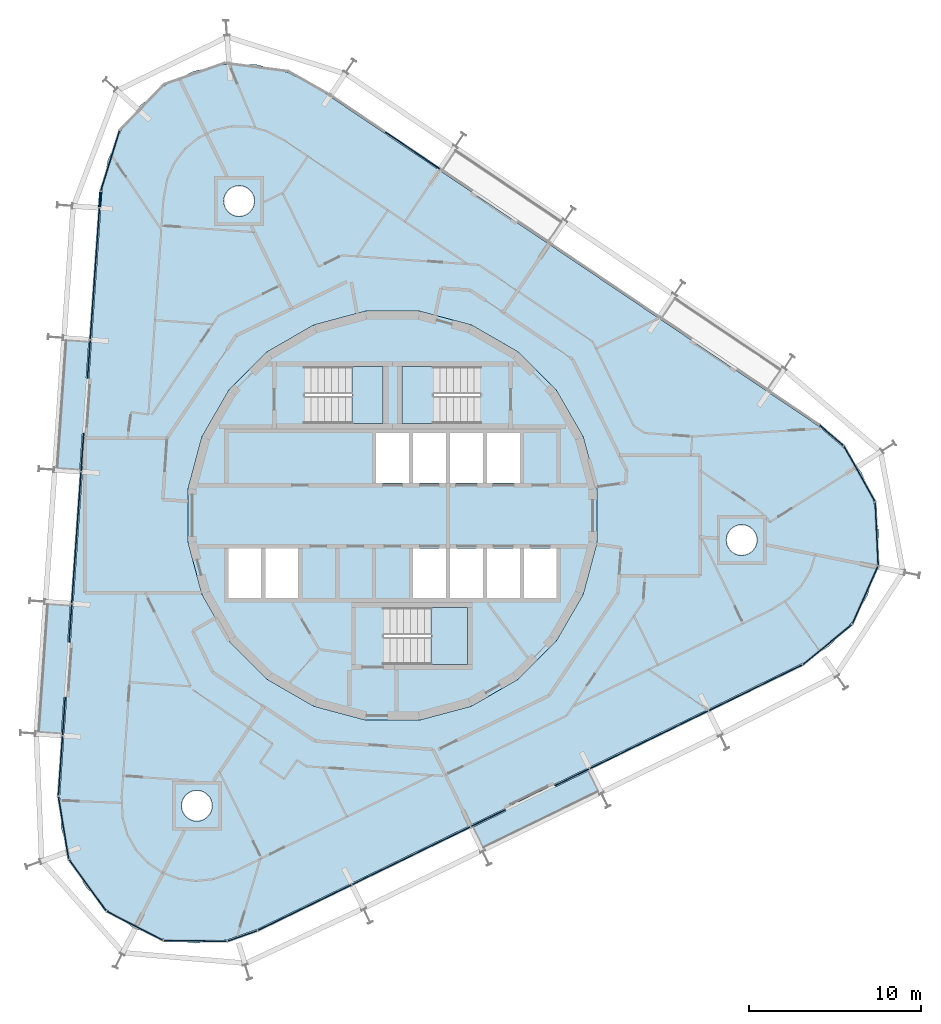
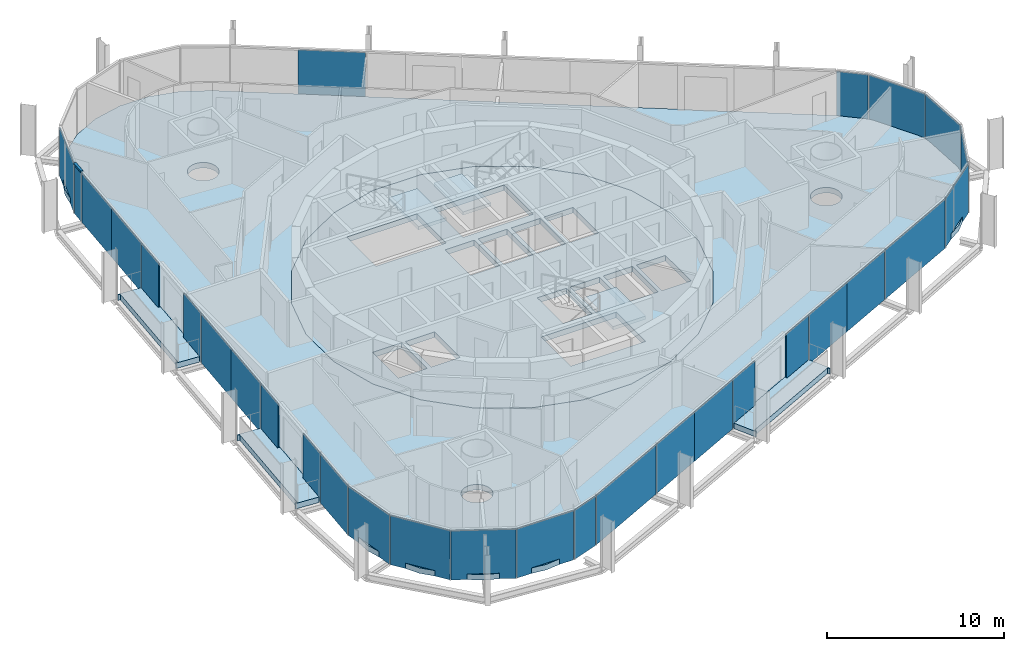
# One storey, part 10 of 18: 30 plates, 8 slabs, 1 member, 9 elements without a shape of their own.
"""IFC4 building model written with IfcOpenShell, lengths in metres."""

from ifc_helpers import new_model, si_unit, direction, frame, origin, origin_2d, place, context, subcontext, project, spatial, polyline, rectangle, outline, extrude, material, layer, layer_set, material_profile, profile_set, type_object, element, aggregate, save


model = new_model("IFC4")

# Units and contexts
model_context = context("Model", 3, precision=1e-05, world=origin(), true_north=direction((0.0, 1.0)))
body_context = subcontext(model_context, "Body", "Model", "MODEL_VIEW")
ifc_project = project(units=[si_unit("LENGTHUNIT", "METRE"), si_unit("AREAUNIT", "SQUARE_METRE"), si_unit("VOLUMEUNIT", "CUBIC_METRE"), si_unit("PLANEANGLEUNIT", "RADIAN"), si_unit("MASSUNIT", "GRAM", prefix="KILO")], contexts=[model_context])

# Site, building, storey
site_placement = place(None, origin())
site = spatial("IfcSite", under=ifc_project, at=site_placement, CompositionType="ELEMENT")
building_placement = place(site_placement, origin())
building = spatial("IfcBuilding", under=site, at=building_placement, Name="Spindle Arch Residences", CompositionType="ELEMENT")
storey_placement = place(building_placement, frame((0.0, 0.0, 205.89990234375)))
storey = spatial("IfcBuildingStorey", under=building, at=storey_placement, Name="L52", CompositionType="ELEMENT", Elevation=205.89990234375)

# Curtain wall, member
ifc_material_1 = material(Name="Aluminium bronze unitised frame with tinted glass", Category="aluminium")
ifc_layer_1 = layer(ifc_material_1, 0.159912109375)
ifc_layer_set_1 = layer_set([ifc_layer_1], Name="CW-D corner wall on the fillet arcs")
curtain_wall_type_1 = type_object("IfcCurtainWallType", Name="CW-D corner wall on the fillet arcs", PredefinedType="NOTDEFINED", material=ifc_layer_set_1)
curtain_wall_1_placement = place(storey_placement, origin())
curtain_wall_1 = element("IfcCurtainWall", 1, at=curtain_wall_1_placement, inside=storey, type_object=curtain_wall_type_1, Name="CW-D L52 run 3", PredefinedType="NOTDEFINED")
ifc_material_2 = material(Name="Aluminium bronze anodised transom", Category="aluminium")
ifc_material_profile = material_profile(ifc_material_2, rectangle(XDim=0.159912109375, YDim=0.1201171875, at=origin_2d()), Name="TR 120x160")
ifc_profile_set = profile_set([ifc_material_profile], Name="Aluminium bronze anodised transom")
member_type = type_object("IfcMemberType", Name="Bronze transom 120x160", PredefinedType="USERDEFINED", material=ifc_profile_set)
member_placement = place(storey_placement, frame((-16.98828125, 18.83447265625, 3.06005859375), z_axis=(-0.069692035463, -0.997568554132, 0.0), x_axis=(0.997568554132, -0.069692035463, 0.0)))
member = element("IfcMember", 2, at=member_placement, type_object=member_type, Name="CW-D transom 05", ObjectType="TRANSOM", PredefinedType="USERDEFINED", context=body_context, shape_type="SweptSolid", body=[
    extrude(rectangle(XDim=0.159912109375, YDim=0.1201171875, at=origin_2d()), origin(), (0.0, 0.0, 1.0), 0.90380859375),
])

# Slabs
ifc_material_3 = material(Name="Concrete C40/50", Category="concrete")
ifc_layer_2 = layer(ifc_material_3, 0.3798828125)
ifc_layer_set_2 = layer_set([ifc_layer_2], Name="Balcony slab 380")
slab_type_1 = type_object("IfcSlabType", Name="Balcony slab 380", PredefinedType="FLOOR", material=ifc_layer_set_2)
slab_1_placement = place(storey_placement, frame((0.0, 0.0, -0.3798828125)))
element("IfcSlab", 3, at=slab_1_placement, inside=storey, type_object=slab_type_1, Name="Balcony L52 bay 14", PredefinedType="FLOOR", context=body_context, shape_type="SweptSolid", body=[
    extrude(outline(polyline([(-19.16162109375, 10.2626953125), (-19.166748046875, 10.187744140625), (-19.01708984375, 10.17724609375), (-19.532958984375, 2.8017578125), (-19.6826171875, 2.81201171875), (-19.687744140625, 2.7373046875), (-18.201416015625, 2.63330078125), (-18.0498046875, 4.800048828125), (-17.890380859375, 4.788818359375), (-17.6669921875, 7.98095703125), (-17.82666015625, 7.9921875), (-17.67529296875, 10.15869140625), (-19.16162109375, 10.2626953125)])), origin(), (0.0, 0.0, 1.0), 0.3798828125),
])
slab_2_placement = place(storey_placement, frame((0.0, 0.0, -0.3798828125)))
element("IfcSlab", 4, at=slab_2_placement, inside=storey, type_object=slab_type_1, Name="Balcony L52 bay 16", PredefinedType="FLOOR", context=body_context, shape_type="SweptSolid", body=[
    extrude(outline(polyline([(-20.23486328125, -5.08740234375), (-20.240234375, -5.162109375), (-20.090576171875, -5.172607421875), (-20.606201171875, -12.54833984375), (-20.755859375, -12.537841796875), (-20.76123046875, -12.612548828125), (-19.274658203125, -12.716552734375), (-19.123291015625, -10.550048828125), (-18.963623046875, -10.561279296875), (-18.740478515625, -7.368896484375), (-18.900146484375, -7.35791015625), (-18.74853515625, -5.191162109375), (-20.23486328125, -5.08740234375)])), origin(), (0.0, 0.0, 1.0), 0.3798828125),
])
slab_3_placement = place(storey_placement, frame((0.0, 0.0, -0.3798828125)))
element("IfcSlab", 5, at=slab_3_placement, inside=storey, type_object=slab_type_1, Name="Balcony L52 bay 22", PredefinedType="FLOOR", context=body_context, shape_type="SweptSolid", body=[
    extrude(outline(polyline([(5.30322265625, -19.477294921875), (5.37060546875, -19.4443359375), (5.3046875, -19.3095703125), (11.9501953125, -16.068359375), (12.015869140625, -16.203125), (12.083251953125, -16.17041015625), (11.43017578125, -14.8310546875), (9.47802734375, -15.783203125), (9.407958984375, -15.639404296875), (6.53173828125, -17.042236328125), (6.60205078125, -17.18603515625), (4.64990234375, -18.137939453125), (5.30322265625, -19.477294921875)])), origin(), (0.0, 0.0, 1.0), 0.3798828125),
])
ifc_material_4 = material(Name="Concrete C50/60", Category="concrete")
ifc_layer_3 = layer(ifc_material_4, 0.3798828125)
ifc_layer_set_3 = layer_set([ifc_layer_3], Name="Core floor slab 380")
slab_type_2 = type_object("IfcSlabType", Name="Core floor slab 380", PredefinedType="FLOOR", material=ifc_layer_set_3)
slab_4_placement = place(storey_placement, frame((0.0, 0.0, -0.3798828125)))
element("IfcSlab", 6, at=slab_4_placement, inside=storey, type_object=slab_type_2, Name="Core floor L52", PredefinedType="FLOOR", context=body_context, shape_type="SweptSolid", body=[
    extrude(outline(polyline([(1.56640625, -11.897216796875), (4.59228515625, -11.086669921875), (7.30517578125, -9.520263671875), (9.520263671875, -7.30517578125), (11.086669921875, -4.59228515625), (11.897216796875, -1.56640625), (11.897216796875, 1.56640625), (11.086669921875, 4.59228515625), (9.520263671875, 7.30517578125), (7.30517578125, 9.520263671875), (4.59228515625, 11.086669921875), (1.56640625, 11.897216796875), (-1.56640625, 11.897216796875), (-4.59228515625, 11.086669921875), (-7.30517578125, 9.520263671875), (-9.520263671875, 7.30517578125), (-11.086669921875, 4.59228515625), (-11.897216796875, 1.56640625), (-11.897216796875, -1.56640625), (-11.086669921875, -4.59228515625), (-9.520263671875, -7.30517578125), (-7.30517578125, -9.520263671875), (-4.59228515625, -11.086669921875), (-1.56640625, -11.897216796875), (1.56640625, -11.897216796875)]), holes=[polyline([(-0.949951171875, 1.89990234375), (0.949951171875, 1.89990234375), (0.949951171875, 4.800048828125), (-0.949951171875, 4.800048828125), (-0.949951171875, 1.89990234375)]), polyline([(1.199951171875, 1.89990234375), (3.10009765625, 1.89990234375), (3.10009765625, 4.800048828125), (1.199951171875, 4.800048828125), (1.199951171875, 1.89990234375)]), polyline([(3.35009765625, 1.89990234375), (5.25, 1.89990234375), (5.25, 4.800048828125), (3.35009765625, 4.800048828125), (3.35009765625, 1.89990234375)]), polyline([(5.5, 1.89990234375), (7.39990234375, 1.89990234375), (7.39990234375, 4.800048828125), (5.5, 4.800048828125), (5.5, 1.89990234375)]), polyline([(-9.550048828125, -4.800048828125), (-7.64990234375, -4.800048828125), (-7.64990234375, -1.89990234375), (-9.550048828125, -1.89990234375), (-9.550048828125, -4.800048828125)]), polyline([(-7.39990234375, -4.800048828125), (-5.5, -4.800048828125), (-5.5, -1.89990234375), (-7.39990234375, -1.89990234375), (-7.39990234375, -4.800048828125)]), polyline([(1.199951171875, -4.800048828125), (3.10009765625, -4.800048828125), (3.10009765625, -1.89990234375), (1.199951171875, -1.89990234375), (1.199951171875, -4.800048828125)]), polyline([(3.35009765625, -4.800048828125), (5.25, -4.800048828125), (5.25, -1.89990234375), (3.35009765625, -1.89990234375), (3.35009765625, -4.800048828125)]), polyline([(5.5, -4.800048828125), (7.39990234375, -4.800048828125), (7.39990234375, -1.89990234375), (5.5, -1.89990234375), (5.5, -4.800048828125)]), polyline([(7.64990234375, -4.800048828125), (9.550048828125, -4.800048828125), (9.550048828125, -1.89990234375), (7.64990234375, -1.89990234375), (7.64990234375, -4.800048828125)]), polyline([(5.1298828125, 8.669921875), (0.550048828125, 8.669921875), (0.550048828125, 5.35009765625), (5.1298828125, 5.35009765625), (5.1298828125, 8.669921875)]), polyline([(-5.1298828125, 5.35009765625), (-0.550048828125, 5.35009765625), (-0.550048828125, 8.669921875), (-5.1298828125, 8.669921875), (-5.1298828125, 5.35009765625)]), polyline([(-0.530029296875, -8.669921875), (4.35009765625, -8.669921875), (4.35009765625, -5.35009765625), (-0.530029296875, -5.35009765625), (-0.530029296875, -8.669921875)])]), origin(), (0.0, 0.0, 1.0), 0.3798828125),
])

# Stair, slab
ifc_material_5 = material(Name="Concrete C50/60", Category="concrete")
stair_type = type_object("IfcStairType", Name="Exit stair 16 risers", PredefinedType="HALF_TURN_STAIR", material=ifc_material_5)
stair_1_placement = place(storey_placement, origin())
stair_1 = element("IfcStair", 7, at=stair_1_placement, inside=storey, type_object=stair_type, Name="L52 Exit stair ST1", PredefinedType="HALF_TURN_STAIR")
ifc_material_6 = material(Name="Concrete C50/60", Category="concrete")
ifc_layer_4 = layer(ifc_material_6, 0.219970703125)
ifc_layer_set_4 = layer_set([ifc_layer_4], Name="Exit stair landing 220")
slab_type_3 = type_object("IfcSlabType", Name="Exit stair landing 220", PredefinedType="LANDING", material=ifc_layer_set_4)
slab_5_placement = place(storey_placement, frame((0.0, 0.0, 1.530029296875)))
slab_5 = element("IfcSlab", 8, at=slab_5_placement, type_object=slab_type_3, Name="ST1 landing 1", PredefinedType="LANDING", context=body_context, shape_type="SweptSolid", body=[
    extrude(outline(polyline([(2.3701171875, 8.669921875), (0.550048828125, 8.669921875), (0.550048828125, 5.35009765625), (2.3701171875, 5.35009765625), (2.3701171875, 8.669921875)])), origin(), (0.0, 0.0, 1.0), 0.219970703125),
])
aggregate(stair_1, [slab_5])

stair_2_placement = place(storey_placement, origin())
stair_2 = element("IfcStair", 9, at=stair_2_placement, inside=storey, type_object=stair_type, Name="L52 Exit stair ST2", PredefinedType="HALF_TURN_STAIR")
slab_6_placement = place(storey_placement, frame((0.0, 0.0, 1.530029296875)))
slab_6 = element("IfcSlab", 10, at=slab_6_placement, type_object=slab_type_3, Name="ST2 landing 1", PredefinedType="LANDING", context=body_context, shape_type="SweptSolid", body=[
    extrude(outline(polyline([(-2.3701171875, 5.35009765625), (-0.550048828125, 5.35009765625), (-0.550048828125, 8.669921875), (-2.3701171875, 8.669921875), (-2.3701171875, 5.35009765625)])), origin(), (0.0, 0.0, 1.0), 0.219970703125),
])
aggregate(stair_2, [slab_6])

stair_3_placement = place(storey_placement, origin())
stair_3 = element("IfcStair", 11, at=stair_3_placement, inside=storey, type_object=stair_type, Name="L52 Exit stair ST3", PredefinedType="HALF_TURN_STAIR")
slab_7_placement = place(storey_placement, frame((0.0, 0.0, 1.530029296875)))
slab_7 = element("IfcSlab", 12, at=slab_7_placement, type_object=slab_type_3, Name="ST3 landing 1", PredefinedType="LANDING", context=body_context, shape_type="SweptSolid", body=[
    extrude(outline(polyline([(2.22998046875, -8.669921875), (4.35009765625, -8.669921875), (4.35009765625, -5.35009765625), (2.22998046875, -5.35009765625), (2.22998046875, -8.669921875)])), origin(), (0.0, 0.0, 1.0), 0.219970703125),
])
aggregate(stair_3, [slab_7])

# Slab
ifc_material_7 = material(Name="Concrete C40/50", Category="concrete")
ifc_layer_5 = layer(ifc_material_7, 0.3798828125)
ifc_layer_set_5 = layer_set([ifc_layer_5], Name="Floor slab 380")
slab_type_4 = type_object("IfcSlabType", Name="Floor slab 380", PredefinedType="FLOOR", material=ifc_layer_set_5)
slab_8_placement = place(storey_placement, frame((0.0, 0.0, -0.3798828125)))
element("IfcSlab", 13, at=slab_8_placement, inside=storey, type_object=slab_type_4, Name="Floor slab L52", PredefinedType="FLOOR", context=body_context, shape_type="SweptSolid", body=[
    extrude(outline(polyline([(-9.6318359375, -24.685791015625), (-11.47900390625, -24.8798828125), (-13.3212890625, -24.642822265625), (-15.059326171875, -23.9873046875), (-16.599365234375, -22.948486328125), (-17.858154296875, -21.582763671875), (-18.76806640625, -19.96337890625), (-19.280029296875, -18.177978515625), (-19.366455078125, -16.322509765625), (-16.906494140625, 18.85888671875), (-16.5625, 20.684326171875), (-15.80712890625, 22.381103515625), (-14.6806640625, 23.858154296875), (-13.243896484375, 25.035400390625), (-11.574462890625, 25.849609375), (-9.76220703125, 26.257080078125), (-7.90478515625, 26.2353515625), (-6.1025390625, 25.785888671875), (-4.452392578125, 24.93310546875), (24.785400390625, 5.2119140625), (26.1943359375, 4.00146484375), (27.2861328125, 2.498779296875), (28.001953125, 0.784912109375), (28.30322265625, -1.048095703125), (28.173583984375, -2.901123046875), (27.620361328125, -4.67431640625), (26.6728515625, -6.27197265625), (25.382568359375, -7.608154296875), (23.81884765625, -8.610595703125), (7.969970703125, -16.3408203125), (-7.87890625, -24.07080078125), (-9.6318359375, -24.685791015625)]), holes=[polyline([(7.30517578125, -9.520263671875), (9.520263671875, -7.30517578125), (11.086669921875, -4.59228515625), (11.897216796875, -1.56640625), (11.897216796875, 1.56640625), (11.086669921875, 4.59228515625), (9.520263671875, 7.30517578125), (7.30517578125, 9.520263671875), (4.59228515625, 11.086669921875), (1.56640625, 11.897216796875), (-1.56640625, 11.897216796875), (-4.59228515625, 11.086669921875), (-7.30517578125, 9.520263671875), (-9.520263671875, 7.30517578125), (-11.086669921875, 4.59228515625), (-11.897216796875, 1.56640625), (-11.897216796875, -1.56640625), (-11.086669921875, -4.59228515625), (-9.520263671875, -7.30517578125), (-7.30517578125, -9.520263671875), (-4.59228515625, -11.086669921875), (-1.56640625, -11.897216796875), (1.56640625, -11.897216796875), (4.59228515625, -11.086669921875), (7.30517578125, -9.520263671875)]), polyline([(-10.6376953125, -17.380615234375), (-10.554443359375, -17.224853515625), (-10.50341796875, -17.05615234375), (-10.486083984375, -16.880615234375), (-10.50341796875, -16.704833984375), (-10.554443359375, -16.5361328125), (-10.6376953125, -16.380615234375), (-10.74951171875, -16.244140625), (-10.885986328125, -16.132080078125), (-11.04150390625, -16.049072265625), (-11.21044921875, -15.997802734375), (-11.385986328125, -15.98046875), (-11.5615234375, -15.997802734375), (-11.73046875, -16.049072265625), (-11.885986328125, -16.132080078125), (-12.0224609375, -16.244140625), (-12.13427734375, -16.380615234375), (-12.217529296875, -16.5361328125), (-12.268798828125, -16.704833984375), (-12.285888671875, -16.880615234375), (-12.268798828125, -17.05615234375), (-12.217529296875, -17.224853515625), (-12.13427734375, -17.380615234375), (-12.0224609375, -17.516845703125), (-11.885986328125, -17.62890625), (-11.73046875, -17.7119140625), (-11.5615234375, -17.76318359375), (-11.385986328125, -17.780517578125), (-11.21044921875, -17.76318359375), (-11.04150390625, -17.7119140625), (-10.885986328125, -17.62890625), (-10.74951171875, -17.516845703125), (-10.6376953125, -17.380615234375)]), polyline([(-8.177490234375, 17.80078125), (-8.094482421875, 17.956298828125), (-8.043212890625, 18.125244140625), (-8.02587890625, 18.30078125), (-8.043212890625, 18.476318359375), (-8.094482421875, 18.645263671875), (-8.177490234375, 18.80078125), (-8.28955078125, 18.937255859375), (-8.42578125, 19.049072265625), (-8.58154296875, 19.13232421875), (-8.750244140625, 19.18359375), (-8.92578125, 19.20068359375), (-9.1015625, 19.18359375), (-9.270263671875, 19.13232421875), (-9.42578125, 19.049072265625), (-9.562255859375, 18.937255859375), (-9.67431640625, 18.80078125), (-9.75732421875, 18.645263671875), (-9.80859375, 18.476318359375), (-9.825927734375, 18.30078125), (-9.80859375, 18.125244140625), (-9.75732421875, 17.956298828125), (-9.67431640625, 17.80078125), (-9.562255859375, 17.664306640625), (-9.42578125, 17.552490234375), (-9.270263671875, 17.46923828125), (-9.1015625, 17.418212890625), (-8.92578125, 17.40087890625), (-8.750244140625, 17.418212890625), (-8.58154296875, 17.46923828125), (-8.42578125, 17.552490234375), (-8.28955078125, 17.664306640625), (-8.177490234375, 17.80078125)]), polyline([(20.9482421875, -2.056640625), (21.060302734375, -1.92041015625), (21.143310546875, -1.7646484375), (21.194580078125, -1.595947265625), (21.2119140625, -1.42041015625), (21.194580078125, -1.24462890625), (21.143310546875, -1.075927734375), (21.060302734375, -0.92041015625), (20.9482421875, -0.783935546875), (20.81201171875, -0.672119140625), (20.65625, -0.5888671875), (20.487548828125, -0.53759765625), (20.31201171875, -0.520263671875), (20.13623046875, -0.53759765625), (19.967529296875, -0.5888671875), (19.81201171875, -0.672119140625), (19.675537109375, -0.783935546875), (19.563720703125, -0.92041015625), (19.48046875, -1.075927734375), (19.42919921875, -1.24462890625), (19.411865234375, -1.42041015625), (19.42919921875, -1.595947265625), (19.48046875, -1.7646484375), (19.563720703125, -1.92041015625), (19.675537109375, -2.056640625), (19.81201171875, -2.168701171875), (19.967529296875, -2.251708984375), (20.13623046875, -2.302978515625), (20.31201171875, -2.3203125), (20.487548828125, -2.302978515625), (20.65625, -2.251708984375), (20.81201171875, -2.168701171875), (20.9482421875, -2.056640625)])]), origin(), (0.0, 0.0, 1.0), 0.3798828125),
])

# Curtain wall, plates
curtain_wall_2_placement = place(storey_placement, origin())
curtain_wall_2 = element("IfcCurtainWall", 14, at=curtain_wall_2_placement, inside=storey, type_object=curtain_wall_type_1, Name="CW-D L52 run 1", PredefinedType="NOTDEFINED")
ifc_material_8 = material(Name="Tinted double glazing over aluminium faced non-combustible spandrel zone (K0)", Category="aluminium")
ifc_layer_6 = layer(ifc_material_8, 0.06005859375)
ifc_layer_set_6 = layer_set([ifc_layer_6], Name="Unitised glass panel with E 60 spandrel zone")
plate_type = type_object("IfcPlateType", Name="Unitised glass panel with E 60 spandrel zone", PredefinedType="CURTAIN_PANEL", material=ifc_layer_set_6)
plate_1_placement = place(storey_placement, frame((21.11572265625, -10.01806640625, -0.3798828125), z_axis=(0.0, 0.0, 1.0), x_axis=(0.898794046299, 0.438371146789, 0.0)))
plate_1 = element("IfcPlate", 15, at=plate_1_placement, type_object=plate_type, Name="CW-D unit 00", PredefinedType="CURTAIN_PANEL", context=body_context, shape_type="SweptSolid", body=[
    extrude(rectangle(XDim=6.032958984375, YDim=0.06005859375, at=origin_2d()), origin(), (0.0, 0.0, 1.0), 3.3798828125),
])
plate_2_placement = place(storey_placement, frame((25.295166015625, -7.50146484375, -0.3798828125), z_axis=(0.0, 0.0, 1.0), x_axis=(0.773471595747, 0.633830963722, 0.0)))
plate_2 = element("IfcPlate", 16, at=plate_2_placement, type_object=plate_type, Name="CW-D unit 01", PredefinedType="CURTAIN_PANEL", context=body_context, shape_type="SweptSolid", body=[
    extrude(rectangle(XDim=3.666748046875, YDim=0.06005859375, at=origin_2d()), origin(), (0.0, 0.0, 1.0), 3.3798828125),
])
plate_3_placement = place(storey_placement, frame((27.494384765625, -4.6181640625, -0.3798828125), z_axis=(0.0, 0.0, 1.0), x_axis=(0.406736642422, 0.913545457934, 0.0)))
plate_3 = element("IfcPlate", 17, at=plate_3_placement, type_object=plate_type, Name="CW-D unit 02", PredefinedType="CURTAIN_PANEL", context=body_context, shape_type="SweptSolid", body=[
    extrude(rectangle(XDim=3.666748046875, YDim=0.06005859375, at=origin_2d()), origin(), (0.0, 0.0, 1.0), 3.3798828125),
])
plate_4_placement = place(storey_placement, frame((28.16552734375, -1.054443359375, -0.3798828125), z_axis=(0.0, 0.0, 1.0), x_axis=(-0.046525313877, 0.99891711126, 0.0)))
plate_4 = element("IfcPlate", 18, at=plate_4_placement, type_object=plate_type, Name="CW-D unit 03", PredefinedType="CURTAIN_PANEL", context=body_context, shape_type="SweptSolid", body=[
    extrude(rectangle(XDim=3.666748046875, YDim=0.06005859375, at=origin_2d()), origin(), (0.0, 0.0, 1.0), 3.3798828125),
])
plate_5_placement = place(storey_placement, frame((27.166015625, 2.43115234375, -0.3798828125), z_axis=(0.0, 0.0, 1.0), x_axis=(-0.489889716377, 0.871784414743, 0.0)))
plate_5 = element("IfcPlate", 19, at=plate_5_placement, type_object=plate_type, Name="CW-D unit 04", PredefinedType="CURTAIN_PANEL", context=body_context, shape_type="SweptSolid", body=[
    extrude(rectangle(XDim=3.666748046875, YDim=0.06005859375, at=origin_2d()), origin(), (0.0, 0.0, 1.0), 3.3798828125),
])
plate_6_placement = place(storey_placement, frame((25.541748046875, 4.6669921875, -0.3798828125), z_axis=(0.0, 0.0, 1.0), x_axis=(-0.758513582867, 0.651657229382, 0.0)))
plate_6 = element("IfcPlate", 20, at=plate_6_placement, type_object=plate_type, Name="CW-D unit 05", PredefinedType="CURTAIN_PANEL", context=body_context, shape_type="SweptSolid", body=[
    extrude(rectangle(XDim=1.816162109375, YDim=0.06005859375, at=origin_2d()), origin(), (0.0, 0.0, 1.0), 3.3798828125),
])
aggregate(curtain_wall_2, [plate_1, plate_2, plate_3, plate_4, plate_5, plate_6])

# Curtain wall, plate
ifc_material_9 = material(Name="Aluminium bronze unitised frame with tinted glass", Category="aluminium")
ifc_layer_7 = layer(ifc_material_9, 0.159912109375)
ifc_layer_set_7 = layer_set([ifc_layer_7], Name="CW-C typical residential unitised wall")
curtain_wall_type_2 = type_object("IfcCurtainWallType", Name="CW-C typical residential unitised wall", PredefinedType="NOTDEFINED", material=ifc_layer_set_7)
curtain_wall_3_placement = place(storey_placement, origin())
curtain_wall_3 = element("IfcCurtainWall", 21, at=curtain_wall_3_placement, inside=storey, type_object=curtain_wall_type_2, Name="CW-C L52 run 2", PredefinedType="NOTDEFINED")
plate_7_placement = place(storey_placement, frame((1.162841796875, 21.2421875, -0.3798828125), z_axis=(0.0, 0.0, 1.0), x_axis=(-0.829037572555, 0.559192903471, 0.0)))
plate_7 = element("IfcPlate", 22, at=plate_7_placement, type_object=plate_type, Name="CW-C unit 08A", PredefinedType="CURTAIN_PANEL", context=body_context, shape_type="SweptSolid", body=[
    extrude(rectangle(XDim=3.81689453125, YDim=0.06005859375, at=origin_2d()), origin(), (0.0, 0.0, 1.0), 3.3798828125),
])
aggregate(curtain_wall_3, [plate_7])

# Plate
plate_8_placement = place(storey_placement, frame((-16.43115234375, 20.643310546875, -0.3798828125), z_axis=(0.0, 0.0, 1.0), x_axis=(-0.297930275218, -0.954587634064, 0.0)))
plate_8 = element("IfcPlate", 23, at=plate_8_placement, type_object=plate_type, Name="CW-D unit 04", PredefinedType="CURTAIN_PANEL", context=body_context, shape_type="SweptSolid", body=[
    extrude(rectangle(XDim=3.666748046875, YDim=0.06005859375, at=origin_2d()), origin(), (0.0, 0.0, 1.0), 3.3798828125),
])

plate_9_placement = place(storey_placement, frame((-17.019775390625, 18.3837890625, -0.3798828125), z_axis=(0.0, 0.0, 1.0), x_axis=(-0.069756473744, -0.99756405026, 0.0)))
plate_9 = element("IfcPlate", 24, at=plate_9_placement, type_object=plate_type, Name="CW-D unit 05", PredefinedType="CURTAIN_PANEL", context=body_context, shape_type="SweptSolid", body=[
    extrude(rectangle(XDim=0.90380859375, YDim=0.06005859375, at=origin_2d()), origin(), (0.0, 0.0, 1.0), 3.3798828125),
])

aggregate(curtain_wall_1, [plate_8, member, plate_9])

# Curtain wall, plates
curtain_wall_4_placement = place(storey_placement, origin())
curtain_wall_4 = element("IfcCurtainWall", 25, at=curtain_wall_4_placement, inside=storey, type_object=curtain_wall_type_2, Name="CW-C L52 run 4", PredefinedType="NOTDEFINED")
plate_10_placement = place(storey_placement, frame((-17.188720703125, 15.96923828125, -0.3798828125), z_axis=(0.0, 0.0, 1.0), x_axis=(-0.069756473744, -0.99756405026, 0.0)))
plate_10 = element("IfcPlate", 26, at=plate_10_placement, type_object=plate_type, Name="CW-C unit 12A", PredefinedType="CURTAIN_PANEL", context=body_context, shape_type="SweptSolid", body=[
    extrude(rectangle(XDim=3.81689453125, YDim=0.06005859375, at=origin_2d()), origin(), (0.0, 0.0, 1.0), 3.3798828125),
])
plate_11_placement = place(storey_placement, frame((-17.454833984375, 12.16162109375, -0.3798828125), z_axis=(0.0, 0.0, 1.0), x_axis=(-0.069756473744, -0.99756405026, 0.0)))
plate_11 = element("IfcPlate", 27, at=plate_11_placement, type_object=plate_type, Name="CW-C unit 12B", PredefinedType="CURTAIN_PANEL", context=body_context, shape_type="SweptSolid", body=[
    extrude(rectangle(XDim=3.81689453125, YDim=0.06005859375, at=origin_2d()), origin(), (0.0, 0.0, 1.0), 3.3798828125),
])
plate_12_placement = place(storey_placement, frame((-17.669677734375, 9.09228515625, -0.3798828125), z_axis=(0.0, 0.0, 1.0), x_axis=(-0.069756473744, -0.99756405026, 0.0)))
plate_12 = element("IfcPlate", 28, at=plate_12_placement, type_object=plate_type, Name="CW-C unit 13L", PredefinedType="CURTAIN_PANEL", context=body_context, shape_type="SweptSolid", body=[
    extrude(rectangle(XDim=2.216796875, YDim=0.06005859375, at=origin_2d()), origin(), (0.0, 0.0, 1.0), 3.3798828125),
])
plate_13_placement = place(storey_placement, frame((-18.04736328125, 3.688720703125, -0.3798828125), z_axis=(0.0, 0.0, 1.0), x_axis=(-0.069756473744, -0.99756405026, 0.0)))
plate_13 = element("IfcPlate", 29, at=plate_13_placement, type_object=plate_type, Name="CW-C unit 13R", PredefinedType="CURTAIN_PANEL", context=body_context, shape_type="SweptSolid", body=[
    extrude(rectangle(XDim=2.216796875, YDim=0.06005859375, at=origin_2d()), origin(), (0.0, 0.0, 1.0), 3.3798828125),
])
plate_14_placement = place(storey_placement, frame((-18.261962890625, 0.619140625, -0.3798828125), z_axis=(0.0, 0.0, 1.0), x_axis=(-0.069756473744, -0.99756405026, 0.0)))
plate_14 = element("IfcPlate", 30, at=plate_14_placement, type_object=plate_type, Name="CW-C unit 14A", PredefinedType="CURTAIN_PANEL", context=body_context, shape_type="SweptSolid", body=[
    extrude(rectangle(XDim=3.81689453125, YDim=0.06005859375, at=origin_2d()), origin(), (0.0, 0.0, 1.0), 3.3798828125),
])
plate_15_placement = place(storey_placement, frame((-18.5283203125, -3.188232421875, -0.3798828125), z_axis=(0.0, 0.0, 1.0), x_axis=(-0.069756473744, -0.99756405026, 0.0)))
plate_15 = element("IfcPlate", 31, at=plate_15_placement, type_object=plate_type, Name="CW-C unit 14B", PredefinedType="CURTAIN_PANEL", context=body_context, shape_type="SweptSolid", body=[
    extrude(rectangle(XDim=3.81689453125, YDim=0.06005859375, at=origin_2d()), origin(), (0.0, 0.0, 1.0), 3.3798828125),
])
plate_16_placement = place(storey_placement, frame((-18.742919921875, -6.257568359375, -0.3798828125), z_axis=(0.0, 0.0, 1.0), x_axis=(-0.069756473744, -0.99756405026, 0.0)))
plate_16 = element("IfcPlate", 32, at=plate_16_placement, type_object=plate_type, Name="CW-C unit 15L", PredefinedType="CURTAIN_PANEL", context=body_context, shape_type="SweptSolid", body=[
    extrude(rectangle(XDim=2.216796875, YDim=0.06005859375, at=origin_2d()), origin(), (0.0, 0.0, 1.0), 3.3798828125),
])
plate_17_placement = place(storey_placement, frame((-19.120849609375, -11.661376953125, -0.3798828125), z_axis=(0.0, 0.0, 1.0), x_axis=(-0.069756473744, -0.99756405026, 0.0)))
plate_17 = element("IfcPlate", 33, at=plate_17_placement, type_object=plate_type, Name="CW-C unit 15R", PredefinedType="CURTAIN_PANEL", context=body_context, shape_type="SweptSolid", body=[
    extrude(rectangle(XDim=2.216796875, YDim=0.06005859375, at=origin_2d()), origin(), (0.0, 0.0, 1.0), 3.3798828125),
])
aggregate(curtain_wall_4, [plate_10, plate_11, plate_12, plate_13, plate_14, plate_15, plate_16, plate_17])

curtain_wall_5_placement = place(storey_placement, origin())
curtain_wall_5 = element("IfcCurtainWall", 34, at=curtain_wall_5_placement, inside=storey, type_object=curtain_wall_type_1, Name="CW-D L52 run 5", PredefinedType="NOTDEFINED")
plate_18_placement = place(storey_placement, frame((-19.3232421875, -14.556884765625, -0.3798828125), z_axis=(0.0, 0.0, 1.0), x_axis=(-0.069756473744, -0.99756405026, 0.0)))
plate_18 = element("IfcPlate", 35, at=plate_18_placement, type_object=plate_type, Name="CW-D unit 00", PredefinedType="CURTAIN_PANEL", context=body_context, shape_type="SweptSolid", body=[
    extrude(rectangle(XDim=3.468505859375, YDim=0.06005859375, at=origin_2d()), origin(), (0.0, 0.0, 1.0), 3.3798828125),
])
plate_19_placement = place(storey_placement, frame((-19.14404296875, -18.155517578125, -0.3798828125), z_axis=(0.0, 0.0, 1.0), x_axis=(0.162177925821, -0.986761531666, 0.0)))
plate_19 = element("IfcPlate", 36, at=plate_19_placement, type_object=plate_type, Name="CW-D unit 01", PredefinedType="CURTAIN_PANEL", context=body_context, shape_type="SweptSolid", body=[
    extrude(rectangle(XDim=3.666748046875, YDim=0.06005859375, at=origin_2d()), origin(), (0.0, 0.0, 1.0), 3.3798828125),
])
plate_20_placement = place(storey_placement, frame((-17.74658203125, -21.501708984375, -0.3798828125), z_axis=(0.0, 0.0, 1.0), x_axis=(0.587785254679, -0.809016992641, 0.0)))
plate_20 = element("IfcPlate", 37, at=plate_20_placement, type_object=plate_type, Name="CW-D unit 02", PredefinedType="CURTAIN_PANEL", context=body_context, shape_type="SweptSolid", body=[
    extrude(rectangle(XDim=3.666748046875, YDim=0.06005859375, at=origin_2d()), origin(), (0.0, 0.0, 1.0), 3.3798828125),
])
plate_21_placement = place(storey_placement, frame((-14.99609375, -23.86474609375, -0.3798828125), z_axis=(0.0, 0.0, 1.0), x_axis=(0.88835025098, -0.459166453025, 0.0)))
plate_21 = element("IfcPlate", 38, at=plate_21_placement, type_object=plate_type, Name="CW-D unit 03", PredefinedType="CURTAIN_PANEL", context=body_context, shape_type="SweptSolid", body=[
    extrude(rectangle(XDim=3.666748046875, YDim=0.06005859375, at=origin_2d()), origin(), (0.0, 0.0, 1.0), 3.3798828125),
])
plate_22_placement = place(storey_placement, frame((-11.4775390625, -24.7421875, -0.3798828125), z_axis=(0.0, 0.0, 1.0), x_axis=(0.999932308032, -0.011635263346, 0.0)))
plate_22 = element("IfcPlate", 39, at=plate_22_placement, type_object=plate_type, Name="CW-D unit 04", PredefinedType="CURTAIN_PANEL", context=body_context, shape_type="SweptSolid", body=[
    extrude(rectangle(XDim=3.666748046875, YDim=0.06005859375, at=origin_2d()), origin(), (0.0, 0.0, 1.0), 3.3798828125),
])
plate_23_placement = place(storey_placement, frame((-8.72900390625, -24.453369140625, -0.3798828125), z_axis=(0.0, 0.0, 1.0), x_axis=(0.943608504957, 0.33106342198, 0.0)))
plate_23 = element("IfcPlate", 40, at=plate_23_placement, type_object=plate_type, Name="CW-D unit 05", PredefinedType="CURTAIN_PANEL", context=body_context, shape_type="SweptSolid", body=[
    extrude(rectangle(XDim=1.816162109375, YDim=0.06005859375, at=origin_2d()), origin(), (0.0, 0.0, 1.0), 3.3798828125),
])
plate_24_placement = place(storey_placement, frame((-5.105712890625, -22.80712890625, -0.3798828125), z_axis=(0.0, 0.0, 1.0), x_axis=(0.898794046299, 0.438371146789, 0.0)))
plate_24 = element("IfcPlate", 41, at=plate_24_placement, type_object=plate_type, Name="CW-D unit 06", PredefinedType="CURTAIN_PANEL", context=body_context, shape_type="SweptSolid", body=[
    extrude(rectangle(XDim=6.032958984375, YDim=0.06005859375, at=origin_2d()), origin(), (0.0, 0.0, 1.0), 3.3798828125),
])
aggregate(curtain_wall_5, [plate_18, plate_19, plate_20, plate_21, plate_22, plate_23, plate_24])

curtain_wall_6_placement = place(storey_placement, origin())
curtain_wall_6 = element("IfcCurtainWall", 42, at=curtain_wall_6_placement, inside=storey, type_object=curtain_wall_type_2, Name="CW-C L52 run 6", PredefinedType="NOTDEFINED")
plate_25_placement = place(storey_placement, frame((-0.625244140625, -20.6220703125, -0.3798828125), z_axis=(0.0, 0.0, 1.0), x_axis=(0.898794046299, 0.438371146789, 0.0)))
plate_25 = element("IfcPlate", 43, at=plate_25_placement, type_object=plate_type, Name="CW-C unit 20A", PredefinedType="CURTAIN_PANEL", context=body_context, shape_type="SweptSolid", body=[
    extrude(rectangle(XDim=3.81689453125, YDim=0.06005859375, at=origin_2d()), origin(), (0.0, 0.0, 1.0), 3.3798828125),
])
plate_26_placement = place(storey_placement, frame((2.80517578125, -18.94873046875, -0.3798828125), z_axis=(0.0, 0.0, 1.0), x_axis=(0.898794046299, 0.438371146789, 0.0)))
plate_26 = element("IfcPlate", 44, at=plate_26_placement, type_object=plate_type, Name="CW-C unit 20B", PredefinedType="CURTAIN_PANEL", context=body_context, shape_type="SweptSolid", body=[
    extrude(rectangle(XDim=3.81689453125, YDim=0.06005859375, at=origin_2d()), origin(), (0.0, 0.0, 1.0), 3.3798828125),
])
plate_27_placement = place(storey_placement, frame((5.570556640625, -17.599853515625, -0.3798828125), z_axis=(0.0, 0.0, 1.0), x_axis=(0.898794046299, 0.438371146789, 0.0)))
plate_27 = element("IfcPlate", 45, at=plate_27_placement, type_object=plate_type, Name="CW-C unit 21L", PredefinedType="CURTAIN_PANEL", context=body_context, shape_type="SweptSolid", body=[
    extrude(rectangle(XDim=2.216796875, YDim=0.06005859375, at=origin_2d()), origin(), (0.0, 0.0, 1.0), 3.3798828125),
])
plate_28_placement = place(storey_placement, frame((10.439208984375, -15.225341796875, -0.3798828125), z_axis=(0.0, 0.0, 1.0), x_axis=(0.898794046299, 0.438371146789, 0.0)))
plate_28 = element("IfcPlate", 46, at=plate_28_placement, type_object=plate_type, Name="CW-C unit 21R", PredefinedType="CURTAIN_PANEL", context=body_context, shape_type="SweptSolid", body=[
    extrude(rectangle(XDim=2.216796875, YDim=0.06005859375, at=origin_2d()), origin(), (0.0, 0.0, 1.0), 3.3798828125),
])
plate_29_placement = place(storey_placement, frame((13.204833984375, -13.87646484375, -0.3798828125), z_axis=(0.0, 0.0, 1.0), x_axis=(0.898794046299, 0.438371146789, 0.0)))
plate_29 = element("IfcPlate", 47, at=plate_29_placement, type_object=plate_type, Name="CW-C unit 00A", PredefinedType="CURTAIN_PANEL", context=body_context, shape_type="SweptSolid", body=[
    extrude(rectangle(XDim=3.81689453125, YDim=0.06005859375, at=origin_2d()), origin(), (0.0, 0.0, 1.0), 3.3798828125),
])
plate_30_placement = place(storey_placement, frame((16.63525390625, -12.203369140625, -0.3798828125), z_axis=(0.0, 0.0, 1.0), x_axis=(0.898794046299, 0.438371146789, 0.0)))
plate_30 = element("IfcPlate", 48, at=plate_30_placement, type_object=plate_type, Name="CW-C unit 00B", PredefinedType="CURTAIN_PANEL", context=body_context, shape_type="SweptSolid", body=[
    extrude(rectangle(XDim=3.81689453125, YDim=0.06005859375, at=origin_2d()), origin(), (0.0, 0.0, 1.0), 3.3798828125),
])
aggregate(curtain_wall_6, [plate_25, plate_26, plate_27, plate_28, plate_29, plate_30])

save(model, "model.ifc")
